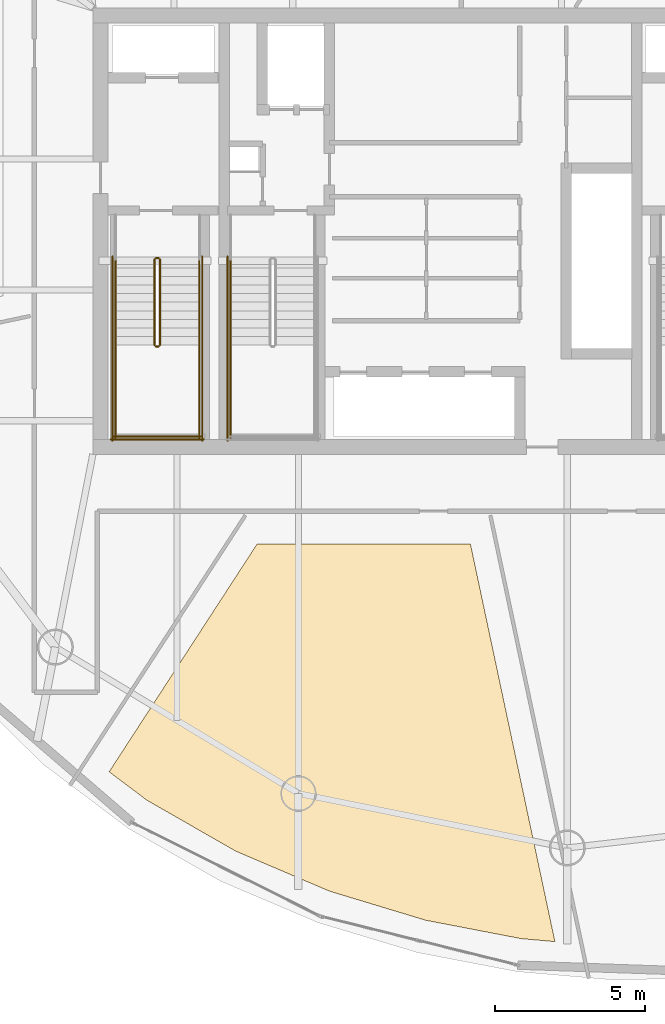
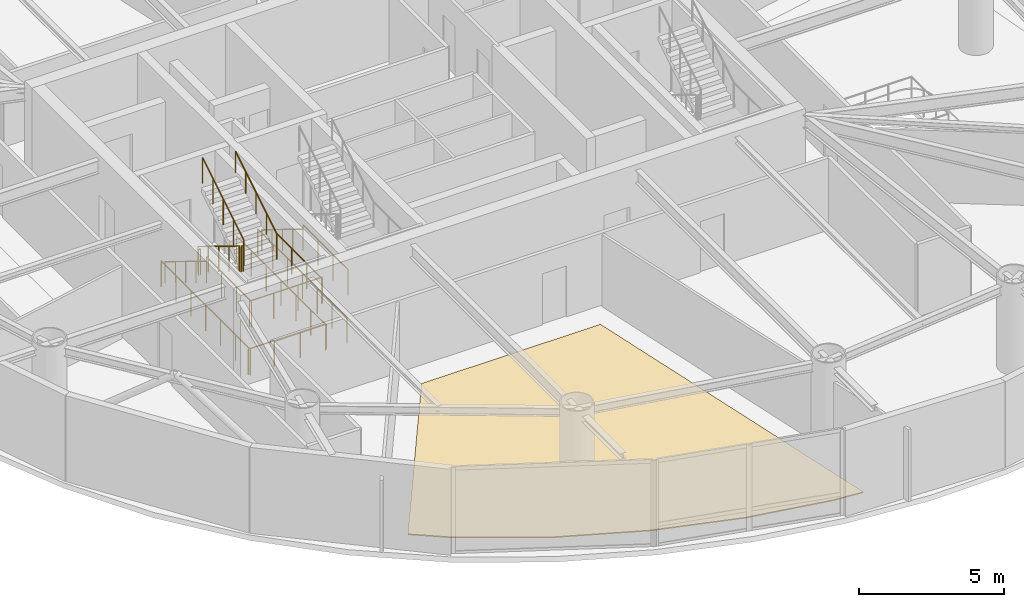
# One storey, part 19 of 22: 15 railings, 1 covering.
"""IFC4 building model written with IfcOpenShell, lengths in metres."""

from ifc_helpers import new_model, si_unit, direction, frame, origin, origin_2d, place, context, subcontext, project, spatial, polyline, circle, outline, extrude, material, layer, layer_set, type_object, element, save


model = new_model("IFC4")

# Units and contexts
model_context = context("Model", 3, precision=1e-05, world=origin(), true_north=direction((0.0, 1.0)))
body_context = subcontext(model_context, "Body", "Model", "MODEL_VIEW")
ifc_project = project(units=[si_unit("LENGTHUNIT", "METRE"), si_unit("AREAUNIT", "SQUARE_METRE"), si_unit("VOLUMEUNIT", "CUBIC_METRE"), si_unit("PLANEANGLEUNIT", "RADIAN"), si_unit("MASSUNIT", "GRAM", prefix="KILO")], contexts=[model_context])

# Site, building, storey
site_placement = place(None, origin())
site = spatial("IfcSite", under=ifc_project, at=site_placement, CompositionType="ELEMENT")
building_placement = place(site_placement, origin())
building = spatial("IfcBuilding", under=site, at=building_placement, Name="Bramvorn Convention Spire", CompositionType="ELEMENT")
storey_placement = place(building_placement, frame((0.0, 0.0, 225.10009765625)))
storey = spatial("IfcBuildingStorey", under=building, at=storey_placement, Name="L57", CompositionType="ELEMENT", Elevation=225.10009765625)

# Covering
ifc_material_1 = material(Name="Calcium-Sulphate Raised Access Office Floor", Category="steel")
ifc_layer = layer(ifc_material_1, 0.044921875)
ifc_layer_set = layer_set([ifc_layer], Name="Calcium-Sulphate Raised Access Office Floor - FLR-RAISED-45")
covering_type = type_object("IfcCoveringType", Name="FLR-RAISED-45", PredefinedType="FLOORING", material=ifc_layer_set)
covering_placement = place(storey_placement, origin())
element("IfcCovering", 1, at=covering_placement, inside=storey, type_object=covering_type, Name="L57 Associate Office Chamber 6 6 raised floor finish", PredefinedType="FLOORING", context=body_context, shape_type="SweptSolid", body=[
    extrude(outline(polyline([(41.049560546875, 2.3837890625), (42.171630859375, 2.285400390625), (39.352294921875, 15.550048828125), (32.227294921875, 15.550048828125), (27.2939453125, 7.95361328125), (28.55419921875, 7.003173828125), (31.519775390625, 5.303466796875), (34.64794921875, 3.96923828125), (37.854248046875, 2.998779296875), (41.049560546875, 2.3837890625)])), origin(), (0.0, 0.0, 1.0), 0.044921875),
])

# Railings
ifc_material_2 = material(Name="Painted Steel Balustrade & Guardrail", Category="steel")
railing_type_1 = type_object("IfcRailingType", Name="RL-STAIR-GUARD-1100", PredefinedType="GUARDRAIL", material=ifc_material_2)
railing_1_placement = place(storey_placement, frame((28.81005859375, 25.050048828125, 0.1748046875)))
element("IfcRailing", 2, at=railing_1_placement, inside=storey, type_object=railing_type_1, Name="L57 ST1 stair guard 1", PredefinedType="GUARDRAIL", context=body_context, shape_type="SweptSolid", body=[
    extrude(circle(Radius=0.02392578125, at=origin_2d()), frame((0.0, 0.0, 1.076171875), z_axis=(0.0, -0.852179220489, 0.52325001306), x_axis=(1.0, 0.0, 0.0)), (0.0, 0.0, 1.0), 3.344482421875),
    extrude(circle(Radius=0.02099609375, at=origin_2d()), origin(), (0.0, 0.0, 1.0), 1.052001953125),
    extrude(circle(Radius=0.02099609375, at=origin_2d()), frame((0.0, -0.71240234375, 0.4375)), (0.0, 0.0, 1.0), 1.052001953125),
    extrude(circle(Radius=0.02099609375, at=origin_2d()), frame((0.0, -1.425048828125, 0.875)), (0.0, 0.0, 1.0), 1.052001953125),
    extrude(circle(Radius=0.02099609375, at=origin_2d()), frame((0.0, -2.1376953125, 1.3125)), (0.0, 0.0, 1.0), 1.052001953125),
    extrude(circle(Radius=0.02099609375, at=origin_2d()), frame((0.0, -2.85009765625, 1.75)), (0.0, 0.0, 1.0), 1.052001953125),
])
railing_2_placement = place(storey_placement, frame((28.860107421875, 22.14990234375, 1.9248046875)))
element("IfcRailing", 3, at=railing_2_placement, inside=storey, type_object=railing_type_1, Name="L57 ST1 stair guard 2", PredefinedType="GUARDRAIL", context=body_context, shape_type="SweptSolid", body=[
    extrude(circle(Radius=0.02392578125, at=origin_2d()), frame((0.0, 0.0, 1.076171875), z_axis=(1.0, 0.0, 0.0), x_axis=(0.0, 1.0, 0.0)), (0.0, 0.0, 1.0), 0.079833984375),
    extrude(circle(Radius=0.02099609375, at=origin_2d()), origin(), (0.0, 0.0, 1.0), 1.052001953125),
    extrude(circle(Radius=0.02099609375, at=origin_2d()), frame((0.079833984375, 0.0, 0.0)), (0.0, 0.0, 1.0), 1.052001953125),
])
for number, where, name in (
    (4, (27.5, 22.199951171875, 1.9248046875), "L57 ST1 stair guard 3"),
    (5, (30.300048828125, 22.199951171875, 1.9248046875), "L57 ST1 stair guard 4"),
):
    element("IfcRailing", number, at=place(storey_placement, frame(where)), inside=storey, type_object=railing_type_1, Name=name, PredefinedType="GUARDRAIL", context=body_context, shape_type="SweptSolid", body=[
        extrude(circle(Radius=0.02392578125, at=origin_2d()), frame((0.0, 0.0, 1.076171875), z_axis=(0.0, -1.0, 0.0), x_axis=(1.0, 0.0, 0.0)), (0.0, 0.0, 1.0), 3.099853515625),
        extrude(circle(Radius=0.02099609375, at=origin_2d()), origin(), (0.0, 0.0, 1.0), 1.052001953125),
        extrude(circle(Radius=0.02099609375, at=origin_2d()), frame((0.0, -1.033203125, 0.0)), (0.0, 0.0, 1.0), 1.052001953125),
        extrude(circle(Radius=0.02099609375, at=origin_2d()), frame((0.0, -2.066650390625, 0.0)), (0.0, 0.0, 1.0), 1.052001953125),
        extrude(circle(Radius=0.02099609375, at=origin_2d()), frame((0.0, -3.099853515625, 0.0)), (0.0, 0.0, 1.0), 1.052001953125),
    ])
railing_3_placement = place(storey_placement, frame((27.449951171875, 19.14990234375, 1.9248046875)))
element("IfcRailing", 6, at=railing_3_placement, inside=storey, type_object=railing_type_1, Name="L57 ST1 stair guard 5", PredefinedType="GUARDRAIL", context=body_context, shape_type="SweptSolid", body=[
    extrude(circle(Radius=0.02392578125, at=origin_2d()), frame((0.0, 0.0, 1.076171875), z_axis=(1.0, 0.0, 0.0), x_axis=(0.0, 1.0, 0.0)), (0.0, 0.0, 1.0), 2.900146484375),
    extrude(circle(Radius=0.02099609375, at=origin_2d()), origin(), (0.0, 0.0, 1.0), 1.052001953125),
    extrude(circle(Radius=0.02099609375, at=origin_2d()), frame((0.966796875, 0.0, 0.0)), (0.0, 0.0, 1.0), 1.052001953125),
    extrude(circle(Radius=0.02099609375, at=origin_2d()), frame((1.933349609375, 0.0, 0.0)), (0.0, 0.0, 1.0), 1.052001953125),
    extrude(circle(Radius=0.02099609375, at=origin_2d()), frame((2.900146484375, 0.0, 0.0)), (0.0, 0.0, 1.0), 1.052001953125),
])
railing_4_placement = place(storey_placement, frame((28.989990234375, 22.199951171875, 2.099853515625)))
element("IfcRailing", 7, at=railing_4_placement, inside=storey, type_object=railing_type_1, Name="L57 ST1 stair guard 6", PredefinedType="GUARDRAIL", context=body_context, shape_type="SweptSolid", body=[
    extrude(circle(Radius=0.02392578125, at=origin_2d()), frame((0.0, 0.0, 1.076171875), z_axis=(0.0, 0.852179220489, 0.52325001306), x_axis=(-1.0, 0.0, 0.0)), (0.0, 0.0, 1.0), 3.344482421875),
    extrude(circle(Radius=0.02099609375, at=origin_2d()), origin(), (0.0, 0.0, 1.0), 1.052001953125),
    extrude(circle(Radius=0.02099609375, at=origin_2d()), frame((0.0, 0.71240234375, 0.4375)), (0.0, 0.0, 1.0), 1.052001953125),
    extrude(circle(Radius=0.02099609375, at=origin_2d()), frame((0.0, 1.425048828125, 0.875)), (0.0, 0.0, 1.0), 1.052001953125),
    extrude(circle(Radius=0.02099609375, at=origin_2d()), frame((0.0, 2.1376953125, 1.3125)), (0.0, 0.0, 1.0), 1.052001953125),
    extrude(circle(Radius=0.02099609375, at=origin_2d()), frame((0.0, 2.85009765625, 1.75)), (0.0, 0.0, 1.0), 1.052001953125),
])
railing_5_placement = place(storey_placement, frame((28.860107421875, 25.10009765625, 0.0)))
element("IfcRailing", 8, at=railing_5_placement, inside=storey, type_object=railing_type_1, Name="L57 ST1 stair guard 7", PredefinedType="GUARDRAIL", context=body_context, shape_type="SweptSolid", body=[
    extrude(circle(Radius=0.02392578125, at=origin_2d()), frame((0.0, 0.0, 1.076171875), z_axis=(1.0, 0.0, 0.0), x_axis=(0.0, 1.0, 0.0)), (0.0, 0.0, 1.0), 0.079833984375),
    extrude(circle(Radius=0.02099609375, at=origin_2d()), origin(), (0.0, 0.0, 1.0), 1.052001953125),
    extrude(circle(Radius=0.02099609375, at=origin_2d()), frame((0.079833984375, 0.0, 0.0)), (0.0, 0.0, 1.0), 1.052001953125),
])
for number, where, name in (
    (9, (27.39990234375, 25.14990234375, 0.0), "L57 ST1 stair guard 10"),
    (10, (30.39990234375, 25.14990234375, 0.0), "L57 ST1 stair guard 11"),
):
    element("IfcRailing", number, at=place(storey_placement, frame(where)), inside=storey, type_object=railing_type_1, Name=name, PredefinedType="GUARDRAIL", context=body_context, shape_type="SweptSolid", body=[
        extrude(circle(Radius=0.02392578125, at=origin_2d()), frame((0.0, 0.0, 1.076171875), z_axis=(0.0, -1.0, 0.0), x_axis=(1.0, 0.0, 0.0)), (0.0, 0.0, 1.0), 6.14990234375),
        extrude(circle(Radius=0.02099609375, at=origin_2d()), origin(), (0.0, 0.0, 1.0), 1.052001953125),
        extrude(circle(Radius=0.02099609375, at=origin_2d()), frame((0.0, -1.02490234375, 0.0)), (0.0, 0.0, 1.0), 1.052001953125),
        extrude(circle(Radius=0.02099609375, at=origin_2d()), frame((0.0, -2.050048828125, 0.0)), (0.0, 0.0, 1.0), 1.052001953125),
        extrude(circle(Radius=0.02099609375, at=origin_2d()), frame((0.0, -3.074951171875, 0.0)), (0.0, 0.0, 1.0), 1.052001953125),
        extrude(circle(Radius=0.02099609375, at=origin_2d()), frame((0.0, -4.099853515625, 0.0)), (0.0, 0.0, 1.0), 1.052001953125),
        extrude(circle(Radius=0.02099609375, at=origin_2d()), frame((0.0, -5.125, 0.0)), (0.0, 0.0, 1.0), 1.052001953125),
        extrude(circle(Radius=0.02099609375, at=origin_2d()), frame((0.0, -6.14990234375, 0.0)), (0.0, 0.0, 1.0), 1.052001953125),
    ])
railing_6_placement = place(storey_placement, frame((27.35009765625, 19.050048828125, 0.0)))
element("IfcRailing", 11, at=railing_6_placement, inside=storey, type_object=railing_type_1, Name="L57 ST1 stair guard 12", PredefinedType="GUARDRAIL", context=body_context, shape_type="SweptSolid", body=[
    extrude(circle(Radius=0.02392578125, at=origin_2d()), frame((0.0, 0.0, 1.076171875), z_axis=(1.0, 0.0, 0.0), x_axis=(0.0, 1.0, 0.0)), (0.0, 0.0, 1.0), 3.099853515625),
    extrude(circle(Radius=0.02099609375, at=origin_2d()), origin(), (0.0, 0.0, 1.0), 1.052001953125),
    extrude(circle(Radius=0.02099609375, at=origin_2d()), frame((1.033203125, 0.0, 0.0)), (0.0, 0.0, 1.0), 1.052001953125),
    extrude(circle(Radius=0.02099609375, at=origin_2d()), frame((2.066650390625, 0.0, 0.0)), (0.0, 0.0, 1.0), 1.052001953125),
    extrude(circle(Radius=0.02099609375, at=origin_2d()), frame((3.099853515625, 0.0, 0.0)), (0.0, 0.0, 1.0), 1.052001953125),
])
railing_7_placement = place(storey_placement, frame((31.35009765625, 22.199951171875, 1.9248046875)))
element("IfcRailing", 12, at=railing_7_placement, inside=storey, type_object=railing_type_1, Name="L57 ST3 stair guard 3", PredefinedType="GUARDRAIL", context=body_context, shape_type="SweptSolid", body=[
    extrude(circle(Radius=0.02392578125, at=origin_2d()), frame((0.0, 0.0, 1.076171875), z_axis=(0.0, -1.0, 0.0), x_axis=(1.0, 0.0, 0.0)), (0.0, 0.0, 1.0), 3.099853515625),
    extrude(circle(Radius=0.02099609375, at=origin_2d()), origin(), (0.0, 0.0, 1.0), 1.052001953125),
    extrude(circle(Radius=0.02099609375, at=origin_2d()), frame((0.0, -1.033203125, 0.0)), (0.0, 0.0, 1.0), 1.052001953125),
    extrude(circle(Radius=0.02099609375, at=origin_2d()), frame((0.0, -2.066650390625, 0.0)), (0.0, 0.0, 1.0), 1.052001953125),
    extrude(circle(Radius=0.02099609375, at=origin_2d()), frame((0.0, -3.099853515625, 0.0)), (0.0, 0.0, 1.0), 1.052001953125),
])
railing_8_placement = place(storey_placement, frame((31.25, 25.14990234375, 0.0)))
element("IfcRailing", 13, at=railing_8_placement, inside=storey, type_object=railing_type_1, Name="L57 ST3 stair guard 10", PredefinedType="GUARDRAIL", context=body_context, shape_type="SweptSolid", body=[
    extrude(circle(Radius=0.02392578125, at=origin_2d()), frame((0.0, 0.0, 1.076171875), z_axis=(0.0, -1.0, 0.0), x_axis=(1.0, 0.0, 0.0)), (0.0, 0.0, 1.0), 6.14990234375),
    extrude(circle(Radius=0.02099609375, at=origin_2d()), origin(), (0.0, 0.0, 1.0), 1.052001953125),
    extrude(circle(Radius=0.02099609375, at=origin_2d()), frame((0.0, -1.02490234375, 0.0)), (0.0, 0.0, 1.0), 1.052001953125),
    extrude(circle(Radius=0.02099609375, at=origin_2d()), frame((0.0, -2.050048828125, 0.0)), (0.0, 0.0, 1.0), 1.052001953125),
    extrude(circle(Radius=0.02099609375, at=origin_2d()), frame((0.0, -3.074951171875, 0.0)), (0.0, 0.0, 1.0), 1.052001953125),
    extrude(circle(Radius=0.02099609375, at=origin_2d()), frame((0.0, -4.099853515625, 0.0)), (0.0, 0.0, 1.0), 1.052001953125),
    extrude(circle(Radius=0.02099609375, at=origin_2d()), frame((0.0, -5.125, 0.0)), (0.0, 0.0, 1.0), 1.052001953125),
    extrude(circle(Radius=0.02099609375, at=origin_2d()), frame((0.0, -6.14990234375, 0.0)), (0.0, 0.0, 1.0), 1.052001953125),
])
ifc_material_3 = material(Name="Brushed Bronze Tubular Handrail", Category="aluminium")
railing_type_2 = type_object("IfcRailingType", Name="RL-STAIR-HR-920", PredefinedType="HANDRAIL", material=ifc_material_3)
railing_9_placement = place(storey_placement, frame((27.5, 25.050048828125, 0.1748046875)))
element("IfcRailing", 14, at=railing_9_placement, inside=storey, type_object=railing_type_2, Name="L57 ST1 stair handrail 1", PredefinedType="HANDRAIL", context=body_context, shape_type="SweptSolid", body=[
    extrude(circle(Radius=0.02392578125, at=origin_2d()), frame((0.0, 0.0, 0.89599609375), z_axis=(0.0, -0.852179220489, 0.52325001306), x_axis=(1.0, 0.0, 0.0)), (0.0, 0.0, 1.0), 3.344482421875),
    extrude(circle(Radius=0.02099609375, at=origin_2d()), origin(), (0.0, 0.0, 1.0), 0.871826171875),
    extrude(circle(Radius=0.02099609375, at=origin_2d()), frame((0.0, -0.71240234375, 0.4375)), (0.0, 0.0, 1.0), 0.871826171875),
    extrude(circle(Radius=0.02099609375, at=origin_2d()), frame((0.0, -1.425048828125, 0.875)), (0.0, 0.0, 1.0), 0.871826171875),
    extrude(circle(Radius=0.02099609375, at=origin_2d()), frame((0.0, -2.1376953125, 1.3125)), (0.0, 0.0, 1.0), 0.871826171875),
    extrude(circle(Radius=0.02099609375, at=origin_2d()), frame((0.0, -2.85009765625, 1.75)), (0.0, 0.0, 1.0), 0.871826171875),
])
railing_10_placement = place(storey_placement, frame((30.300048828125, 22.199951171875, 2.099853515625)))
element("IfcRailing", 15, at=railing_10_placement, inside=storey, type_object=railing_type_2, Name="L57 ST1 stair handrail 2", PredefinedType="HANDRAIL", context=body_context, shape_type="SweptSolid", body=[
    extrude(circle(Radius=0.02392578125, at=origin_2d()), frame((0.0, 0.0, 0.89599609375), z_axis=(0.0, 0.852179220489, 0.52325001306), x_axis=(-1.0, 0.0, 0.0)), (0.0, 0.0, 1.0), 3.344482421875),
    extrude(circle(Radius=0.02099609375, at=origin_2d()), origin(), (0.0, 0.0, 1.0), 0.871826171875),
    extrude(circle(Radius=0.02099609375, at=origin_2d()), frame((0.0, 0.71240234375, 0.4375)), (0.0, 0.0, 1.0), 0.871826171875),
    extrude(circle(Radius=0.02099609375, at=origin_2d()), frame((0.0, 1.425048828125, 0.875)), (0.0, 0.0, 1.0), 0.871826171875),
    extrude(circle(Radius=0.02099609375, at=origin_2d()), frame((0.0, 2.1376953125, 1.3125)), (0.0, 0.0, 1.0), 0.871826171875),
    extrude(circle(Radius=0.02099609375, at=origin_2d()), frame((0.0, 2.85009765625, 1.75)), (0.0, 0.0, 1.0), 0.871826171875),
])
railing_11_placement = place(storey_placement, frame((31.35009765625, 25.050048828125, 0.1748046875)))
element("IfcRailing", 16, at=railing_11_placement, inside=storey, type_object=railing_type_2, Name="L57 ST3 stair handrail 1", PredefinedType="HANDRAIL", context=body_context, shape_type="SweptSolid", body=[
    extrude(circle(Radius=0.02392578125, at=origin_2d()), frame((0.0, 0.0, 0.89599609375), z_axis=(0.0, -0.852179220489, 0.52325001306), x_axis=(1.0, 0.0, 0.0)), (0.0, 0.0, 1.0), 3.344482421875),
    extrude(circle(Radius=0.02099609375, at=origin_2d()), origin(), (0.0, 0.0, 1.0), 0.871826171875),
    extrude(circle(Radius=0.02099609375, at=origin_2d()), frame((0.0, -0.71240234375, 0.4375)), (0.0, 0.0, 1.0), 0.871826171875),
    extrude(circle(Radius=0.02099609375, at=origin_2d()), frame((0.0, -1.425048828125, 0.875)), (0.0, 0.0, 1.0), 0.871826171875),
    extrude(circle(Radius=0.02099609375, at=origin_2d()), frame((0.0, -2.1376953125, 1.3125)), (0.0, 0.0, 1.0), 0.871826171875),
    extrude(circle(Radius=0.02099609375, at=origin_2d()), frame((0.0, -2.85009765625, 1.75)), (0.0, 0.0, 1.0), 0.871826171875),
])

save(model, "model.ifc")
